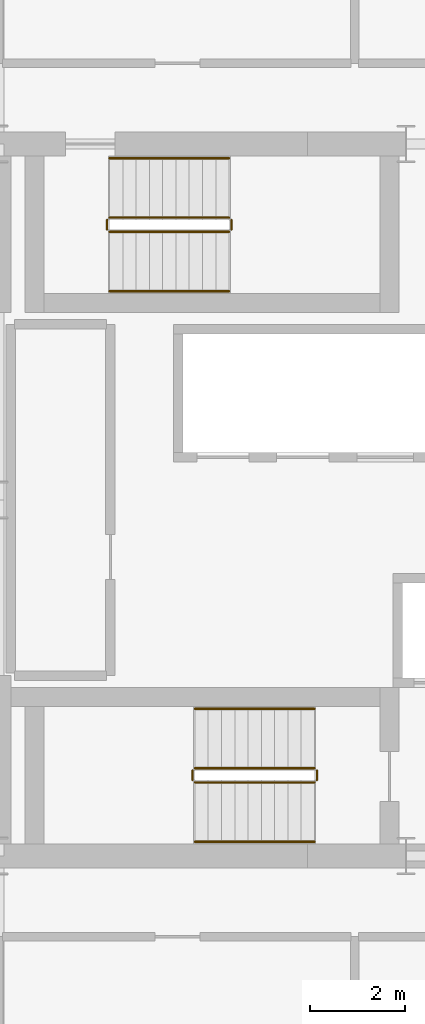
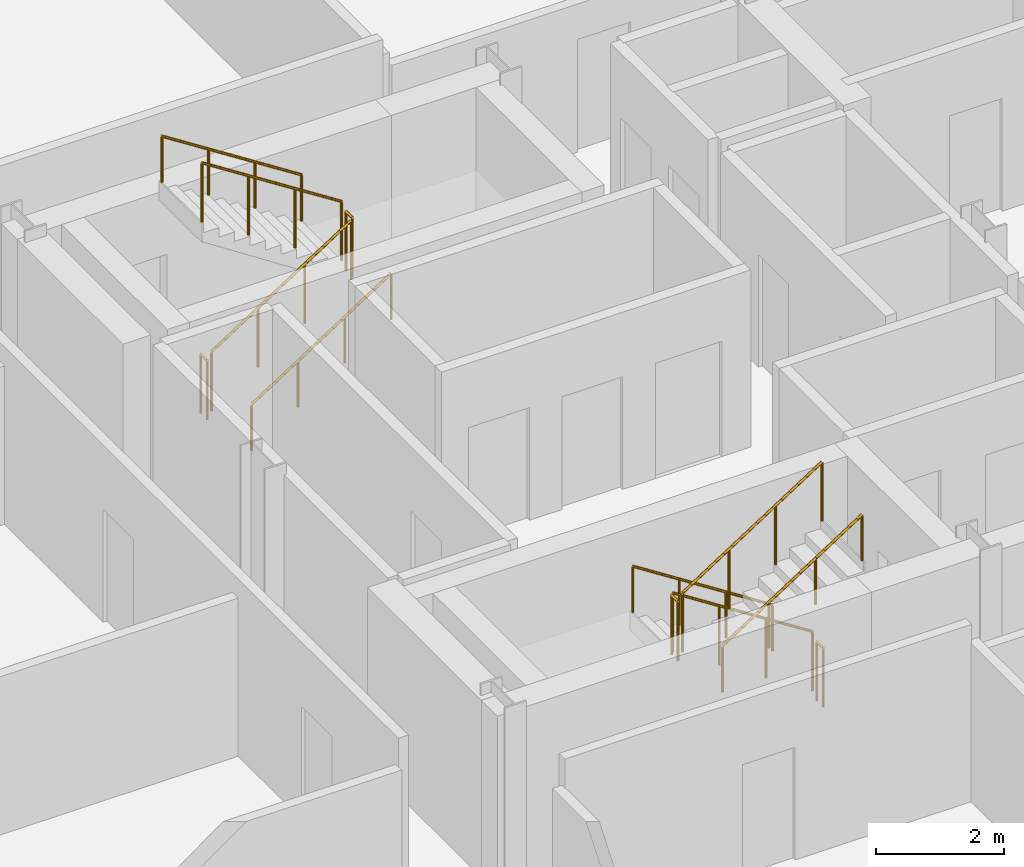
# One storey, part 21 of 22: 12 railings.
"""IFC4 building model written with IfcOpenShell, lengths in metres."""

from ifc_helpers import new_model, si_unit, direction, frame, origin, origin_2d, place, context, subcontext, project, spatial, circle, extrude, material, type_object, element, save


model = new_model("IFC4")

# Units and contexts
model_context = context("Model", 3, precision=1e-05, world=origin(), true_north=direction((0.0, 1.0)))
body_context = subcontext(model_context, "Body", "Model", "MODEL_VIEW")
ifc_project = project(units=[si_unit("LENGTHUNIT", "METRE"), si_unit("AREAUNIT", "SQUARE_METRE"), si_unit("VOLUMEUNIT", "CUBIC_METRE"), si_unit("PLANEANGLEUNIT", "RADIAN"), si_unit("MASSUNIT", "GRAM", prefix="KILO")], contexts=[model_context])

# Site, building, storey
site_placement = place(None, origin())
site = spatial("IfcSite", under=ifc_project, at=site_placement, CompositionType="ELEMENT")
building_placement = place(site_placement, origin())
building = spatial("IfcBuilding", under=site, at=building_placement, Name="Barlavira Tower and Art Museum", CompositionType="ELEMENT")
storey_placement = place(building_placement, frame((0.0, 0.0, 269.10009765625)))
storey = spatial("IfcBuildingStorey", under=building, at=storey_placement, Name="L70", CompositionType="ELEMENT", Elevation=269.10009765625)

# Railings
ifc_material = material(Name="Brushed stainless steel", Category="steel")
railing_type_1 = type_object("IfcRailingType", Name="Interior Void and Landing Guard Railing 1150", PredefinedType="GUARDRAIL", material=ifc_material)
railing_1_placement = place(storey_placement, frame((0.14990234375, -5.64990234375, 0.179931640625)))
element("IfcRailing", 1, at=railing_1_placement, inside=storey, type_object=railing_type_1, Name="L70 ST-T1 stair guard 1", PredefinedType="GUARDRAIL", context=body_context, shape_type="SweptSolid", body=[
    extrude(circle(Radius=0.02392578125, at=origin_2d()), frame((0.0, 0.0, 1.1259765625), z_axis=(-0.841199657755, 0.0, 0.540724639528), x_axis=(0.0, -1.0, 0.0)), (0.0, 0.0, 1.0), 2.995849609375),
    extrude(circle(Radius=0.02099609375, at=origin_2d()), origin(), (0.0, 0.0, 1.0), 1.101806640625),
    extrude(circle(Radius=0.02099609375, at=origin_2d()), frame((-0.840087890625, 0.0, 0.5400390625)), (0.0, 0.0, 1.0), 1.101806640625),
    extrude(circle(Radius=0.02099609375, at=origin_2d()), frame((-1.679931640625, 0.0, 1.079833984375)), (0.0, 0.0, 1.0), 1.101806640625),
    extrude(circle(Radius=0.02099609375, at=origin_2d()), frame((-2.52001953125, 0.0, 1.619873046875)), (0.0, 0.0, 1.0), 1.101806640625),
])
railing_2_placement = place(storey_placement, frame((-2.419921875, -5.699951171875, 1.7998046875)))
element("IfcRailing", 2, at=railing_2_placement, inside=storey, type_object=railing_type_1, Name="L70 ST-T1 stair guard 2", PredefinedType="GUARDRAIL", context=body_context, shape_type="SweptSolid", body=[
    extrude(circle(Radius=0.02392578125, at=origin_2d()), frame((0.0, 0.0, 1.1259765625), z_axis=(0.0, -1.0, 0.0), x_axis=(1.0, 0.0, 0.0)), (0.0, 0.0, 1.0), 0.199951171875),
    extrude(circle(Radius=0.02099609375, at=origin_2d()), origin(), (0.0, 0.0, 1.0), 1.101806640625),
    extrude(circle(Radius=0.02099609375, at=origin_2d()), frame((0.0, -0.199951171875, 0.0)), (0.0, 0.0, 1.0), 1.101806640625),
])
railing_3_placement = place(storey_placement, frame((-2.3701171875, -5.949951171875, 1.97998046875)))
element("IfcRailing", 3, at=railing_3_placement, inside=storey, type_object=railing_type_1, Name="L70 ST-T1 stair guard 3", PredefinedType="GUARDRAIL", context=body_context, shape_type="SweptSolid", body=[
    extrude(circle(Radius=0.02392578125, at=origin_2d()), frame((0.0, 0.0, 1.1259765625), z_axis=(0.841199657755, 0.0, 0.540724639528), x_axis=(0.0, 1.0, 0.0)), (0.0, 0.0, 1.0), 2.995849609375),
    extrude(circle(Radius=0.02099609375, at=origin_2d()), origin(), (0.0, 0.0, 1.0), 1.101806640625),
    extrude(circle(Radius=0.02099609375, at=origin_2d()), frame((0.840087890625, 0.0, 0.5400390625)), (0.0, 0.0, 1.0), 1.101806640625),
    extrude(circle(Radius=0.02099609375, at=origin_2d()), frame((1.679931640625, 0.0, 1.079833984375)), (0.0, 0.0, 1.0), 1.101806640625),
    extrude(circle(Radius=0.02099609375, at=origin_2d()), frame((2.52001953125, 0.0, 1.619873046875)), (0.0, 0.0, 1.0), 1.101806640625),
])
railing_4_placement = place(storey_placement, frame((0.199951171875, -5.699951171875, 0.0)))
element("IfcRailing", 4, at=railing_4_placement, inside=storey, type_object=railing_type_1, Name="L70 ST-T1 stair guard 4", PredefinedType="GUARDRAIL", context=body_context, shape_type="SweptSolid", body=[
    extrude(circle(Radius=0.02392578125, at=origin_2d()), frame((0.0, 0.0, 1.1259765625), z_axis=(0.0, -1.0, 0.0), x_axis=(1.0, 0.0, 0.0)), (0.0, 0.0, 1.0), 0.199951171875),
    extrude(circle(Radius=0.02099609375, at=origin_2d()), origin(), (0.0, 0.0, 1.0), 1.101806640625),
    extrude(circle(Radius=0.02099609375, at=origin_2d()), frame((0.0, -0.199951171875, 0.0)), (0.0, 0.0, 1.0), 1.101806640625),
])
railing_5_placement = place(storey_placement, frame((-4.169921875, 5.64990234375, 0.179931640625)))
element("IfcRailing", 5, at=railing_5_placement, inside=storey, type_object=railing_type_1, Name="L70 ST-T2 stair guard 1", PredefinedType="GUARDRAIL", context=body_context, shape_type="SweptSolid", body=[
    extrude(circle(Radius=0.02392578125, at=origin_2d()), frame((0.0, 0.0, 1.1259765625), z_axis=(0.841199657755, 0.0, 0.540724639528), x_axis=(0.0, 1.0, 0.0)), (0.0, 0.0, 1.0), 2.995849609375),
    extrude(circle(Radius=0.02099609375, at=origin_2d()), origin(), (0.0, 0.0, 1.0), 1.101806640625),
    extrude(circle(Radius=0.02099609375, at=origin_2d()), frame((0.840087890625, 0.0, 0.5400390625)), (0.0, 0.0, 1.0), 1.101806640625),
    extrude(circle(Radius=0.02099609375, at=origin_2d()), frame((1.679931640625, 0.0, 1.079833984375)), (0.0, 0.0, 1.0), 1.101806640625),
    extrude(circle(Radius=0.02099609375, at=origin_2d()), frame((2.52001953125, 0.0, 1.619873046875)), (0.0, 0.0, 1.0), 1.101806640625),
])
railing_6_placement = place(storey_placement, frame((-1.60009765625, 5.699951171875, 1.7998046875)))
element("IfcRailing", 6, at=railing_6_placement, inside=storey, type_object=railing_type_1, Name="L70 ST-T2 stair guard 2", PredefinedType="GUARDRAIL", context=body_context, shape_type="SweptSolid", body=[
    extrude(circle(Radius=0.02392578125, at=origin_2d()), frame((0.0, 0.0, 1.1259765625), z_axis=(0.0, 1.0, 0.0), x_axis=(-1.0, 0.0, 0.0)), (0.0, 0.0, 1.0), 0.199951171875),
    extrude(circle(Radius=0.02099609375, at=origin_2d()), origin(), (0.0, 0.0, 1.0), 1.101806640625),
    extrude(circle(Radius=0.02099609375, at=origin_2d()), frame((0.0, 0.199951171875, 0.0)), (0.0, 0.0, 1.0), 1.101806640625),
])
railing_7_placement = place(storey_placement, frame((-1.64990234375, 5.949951171875, 1.97998046875)))
element("IfcRailing", 7, at=railing_7_placement, inside=storey, type_object=railing_type_1, Name="L70 ST-T2 stair guard 3", PredefinedType="GUARDRAIL", context=body_context, shape_type="SweptSolid", body=[
    extrude(circle(Radius=0.02392578125, at=origin_2d()), frame((0.0, 0.0, 1.1259765625), z_axis=(-0.841199657755, 0.0, 0.540724639528), x_axis=(0.0, -1.0, 0.0)), (0.0, 0.0, 1.0), 2.995849609375),
    extrude(circle(Radius=0.02099609375, at=origin_2d()), origin(), (0.0, 0.0, 1.0), 1.101806640625),
    extrude(circle(Radius=0.02099609375, at=origin_2d()), frame((-0.840087890625, 0.0, 0.5400390625)), (0.0, 0.0, 1.0), 1.101806640625),
    extrude(circle(Radius=0.02099609375, at=origin_2d()), frame((-1.679931640625, 0.0, 1.079833984375)), (0.0, 0.0, 1.0), 1.101806640625),
    extrude(circle(Radius=0.02099609375, at=origin_2d()), frame((-2.52001953125, 0.0, 1.619873046875)), (0.0, 0.0, 1.0), 1.101806640625),
])
railing_8_placement = place(storey_placement, frame((-4.219970703125, 5.699951171875, 0.0)))
element("IfcRailing", 8, at=railing_8_placement, inside=storey, type_object=railing_type_1, Name="L70 ST-T2 stair guard 4", PredefinedType="GUARDRAIL", context=body_context, shape_type="SweptSolid", body=[
    extrude(circle(Radius=0.02392578125, at=origin_2d()), frame((0.0, 0.0, 1.1259765625), z_axis=(0.0, 1.0, 0.0), x_axis=(-1.0, 0.0, 0.0)), (0.0, 0.0, 1.0), 0.199951171875),
    extrude(circle(Radius=0.02099609375, at=origin_2d()), origin(), (0.0, 0.0, 1.0), 1.101806640625),
    extrude(circle(Radius=0.02099609375, at=origin_2d()), frame((0.0, 0.199951171875, 0.0)), (0.0, 0.0, 1.0), 1.101806640625),
])
railing_type_2 = type_object("IfcRailingType", Name="Stair Pitch Tubular Steel Handrail 920", PredefinedType="HANDRAIL", material=ifc_material)
railing_9_placement = place(storey_placement, frame((0.14990234375, -4.39990234375, 0.179931640625)))
element("IfcRailing", 9, at=railing_9_placement, inside=storey, type_object=railing_type_2, Name="L70 ST-T1 stair handrail 1", PredefinedType="HANDRAIL", context=body_context, shape_type="SweptSolid", body=[
    extrude(circle(Radius=0.02392578125, at=origin_2d()), frame((0.0, 0.0, 0.8759765625), z_axis=(-0.841199657755, 0.0, 0.540724639528), x_axis=(0.0, -1.0, 0.0)), (0.0, 0.0, 1.0), 2.995849609375),
    extrude(circle(Radius=0.02099609375, at=origin_2d()), origin(), (0.0, 0.0, 1.0), 0.851806640625),
    extrude(circle(Radius=0.02099609375, at=origin_2d()), frame((-0.840087890625, 0.0, 0.5400390625)), (0.0, 0.0, 1.0), 0.851806640625),
    extrude(circle(Radius=0.02099609375, at=origin_2d()), frame((-1.679931640625, 0.0, 1.079833984375)), (0.0, 0.0, 1.0), 0.851806640625),
    extrude(circle(Radius=0.02099609375, at=origin_2d()), frame((-2.52001953125, 0.0, 1.619873046875)), (0.0, 0.0, 1.0), 0.851806640625),
])
for number, where, name in (
    (10, (-2.3701171875, -7.199951171875, 1.97998046875), "L70 ST-T1 stair handrail 2"),
    (11, (-4.169921875, 4.39990234375, 0.179931640625), "L70 ST-T2 stair handrail 1"),
):
    element("IfcRailing", number, at=place(storey_placement, frame(where)), inside=storey, type_object=railing_type_2, Name=name, PredefinedType="HANDRAIL", context=body_context, shape_type="SweptSolid", body=[
        extrude(circle(Radius=0.02392578125, at=origin_2d()), frame((0.0, 0.0, 0.8759765625), z_axis=(0.841199657755, 0.0, 0.540724639528), x_axis=(0.0, 1.0, 0.0)), (0.0, 0.0, 1.0), 2.995849609375),
        extrude(circle(Radius=0.02099609375, at=origin_2d()), origin(), (0.0, 0.0, 1.0), 0.851806640625),
        extrude(circle(Radius=0.02099609375, at=origin_2d()), frame((0.840087890625, 0.0, 0.5400390625)), (0.0, 0.0, 1.0), 0.851806640625),
        extrude(circle(Radius=0.02099609375, at=origin_2d()), frame((1.679931640625, 0.0, 1.079833984375)), (0.0, 0.0, 1.0), 0.851806640625),
        extrude(circle(Radius=0.02099609375, at=origin_2d()), frame((2.52001953125, 0.0, 1.619873046875)), (0.0, 0.0, 1.0), 0.851806640625),
    ])
railing_10_placement = place(storey_placement, frame((-1.64990234375, 7.199951171875, 1.97998046875)))
element("IfcRailing", 12, at=railing_10_placement, inside=storey, type_object=railing_type_2, Name="L70 ST-T2 stair handrail 2", PredefinedType="HANDRAIL", context=body_context, shape_type="SweptSolid", body=[
    extrude(circle(Radius=0.02392578125, at=origin_2d()), frame((0.0, 0.0, 0.8759765625), z_axis=(-0.841199657755, 0.0, 0.540724639528), x_axis=(0.0, -1.0, 0.0)), (0.0, 0.0, 1.0), 2.995849609375),
    extrude(circle(Radius=0.02099609375, at=origin_2d()), origin(), (0.0, 0.0, 1.0), 0.851806640625),
    extrude(circle(Radius=0.02099609375, at=origin_2d()), frame((-0.840087890625, 0.0, 0.5400390625)), (0.0, 0.0, 1.0), 0.851806640625),
    extrude(circle(Radius=0.02099609375, at=origin_2d()), frame((-1.679931640625, 0.0, 1.079833984375)), (0.0, 0.0, 1.0), 0.851806640625),
    extrude(circle(Radius=0.02099609375, at=origin_2d()), frame((-2.52001953125, 0.0, 1.619873046875)), (0.0, 0.0, 1.0), 0.851806640625),
])

save(model, "model.ifc")
